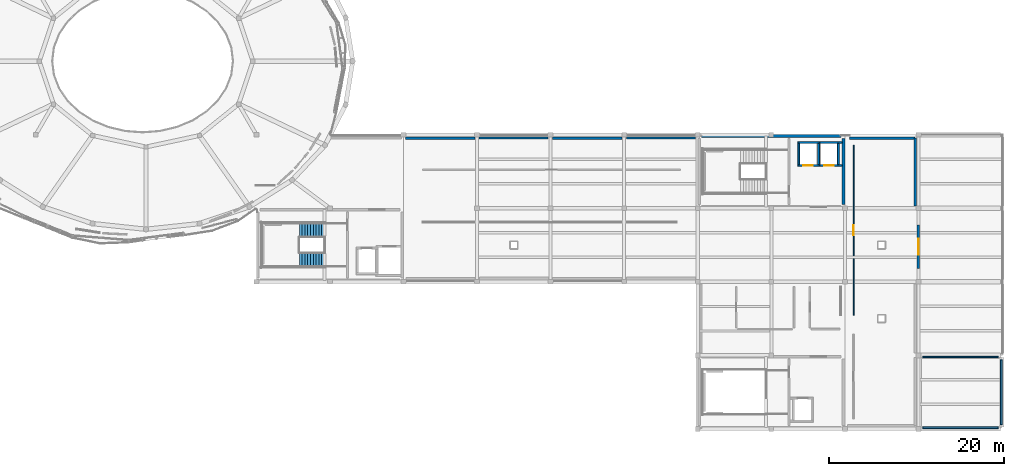
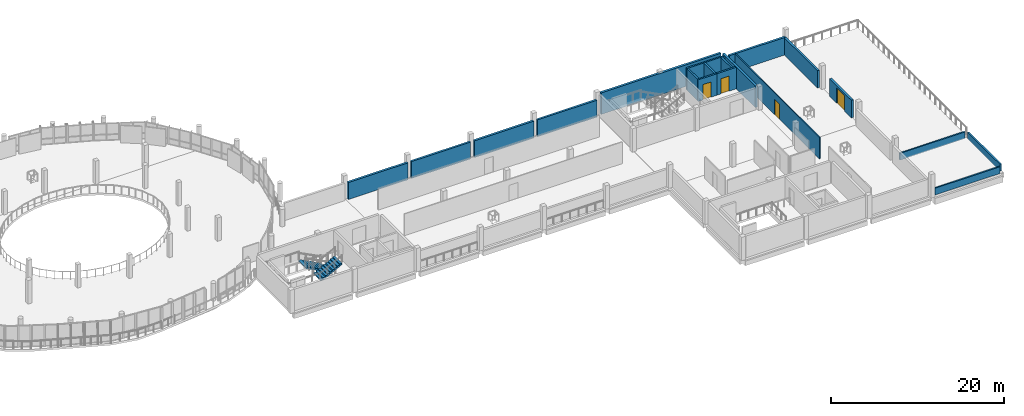
# One storey, part 33 of 43: 20 walls, 4 doors, 2 stair flights, 4 openings, 1 element without a shape of its own.
"""IFC4 building model written with IfcOpenShell, lengths in metres."""

from ifc_helpers import new_model, si_unit, derived_unit, direction, frame, frame_2d, origin, place, context, subcontext, project, spatial, polyline, rectangle, outline, extrude, material, layer, layer_set, type_object, element, fill, aggregate, save


model = new_model("IFC4")

# Units and contexts
model_context = context("Model", 3, precision=1e-05, world=origin(), true_north=direction((0.0, 1.0)))
body_context = subcontext(model_context, "Body", "Model", "MODEL_VIEW")
ifc_project = project(units=[si_unit("LENGTHUNIT", "METRE"), si_unit("AREAUNIT", "SQUARE_METRE"), si_unit("VOLUMEUNIT", "CUBIC_METRE"), si_unit("PLANEANGLEUNIT", "RADIAN"), si_unit("MASSUNIT", "GRAM", prefix="KILO"), derived_unit("THERMALTRANSMITTANCEUNIT", [(si_unit("POWERUNIT", "WATT"), 1), (si_unit("LENGTHUNIT", "METRE"), -2), (si_unit("THERMODYNAMICTEMPERATUREUNIT", "KELVIN"), -1)])], contexts=[model_context])

# Site, building, storey
site_placement = place(None, origin())
site = spatial("IfcSite", under=ifc_project, at=site_placement, CompositionType="ELEMENT")
building_placement = place(site_placement, origin())
building = spatial("IfcBuilding", under=site, at=building_placement, Name="Elbkamm Science Centre", CompositionType="ELEMENT")
storey_placement = place(building_placement, frame((0.0, 0.0, 18.300048828125)))
storey = spatial("IfcBuildingStorey", under=building, at=storey_placement, Name="L04", CompositionType="ELEMENT", Elevation=18.300048828125)

# Walls
ifc_material_1 = material(Name="Reinforced concrete C40/50", Category="concrete")
ifc_layer_1 = layer(ifc_material_1, 0.300048828125)
ifc_layer_set_1 = layer_set([ifc_layer_1], Name="Reinforced concrete C40/50")
wall_type_1 = type_object("IfcWallType", Name="WL-CORE-300", PredefinedType="SHEAR", material=ifc_layer_set_1)
wall_1_placement = place(storey_placement, frame((126.449951171875, 58.64990234375, 0.0), z_axis=(0.0, 0.0, 1.0), x_axis=(1.0, 0.0, 0.0)))
element("IfcWall", 1, at=wall_1_placement, inside=storey, type_object=wall_type_1, Name="L04 Core C3 Northeast Laboratories and Observatory Core Shear Wall N", PredefinedType="SHEAR", context=body_context, shape_type="SweptSolid", body=[
    extrude(rectangle(XDim=15.929931640625, YDim=0.300048828125, at=frame_2d((7.96484375, 0.0))), origin(), (0.0, 0.0, 1.0), 3.0400390625),
])
wall_2_placement = place(storey_placement, frame((142.64990234375, 50.820068359375, 0.0), z_axis=(0.0, 0.0, 1.0), x_axis=(0.0, 1.0, 0.0)))
element("IfcWall", 2, at=wall_2_placement, inside=storey, type_object=wall_type_1, Name="L04 Core C3 Northeast Laboratories and Observatory Core Shear Wall E", PredefinedType="SHEAR", context=body_context, shape_type="SweptSolid", body=[
    extrude(rectangle(XDim=7.559814453125, YDim=0.300048828125, at=frame_2d((3.77978515625, 0.0))), origin(), (0.0, 0.0, 1.0), 3.0400390625),
])

# Wall, opening, door
ifc_material_2 = material(Name="White precast concrete C40/50", Category="concrete")
ifc_layer_2 = layer(ifc_material_2, 0.27001953125)
ifc_layer_set_2 = layer_set([ifc_layer_2], Name="White precast concrete C40/50")
wall_type_2 = type_object("IfcWallType", Name="WL-EXT-270", PredefinedType="SOLIDWALL", material=ifc_layer_set_2)
wall_3_placement = place(storey_placement, frame((151.199951171875, 43.5, 0.0), z_axis=(0.0, 0.0, 1.0), x_axis=(0.0, 1.0, 0.0)))
wall_3 = element("IfcWall", 3, at=wall_3_placement, inside=storey, type_object=wall_type_2, Name="Science Library East Reading Terrace Portal Wall", PredefinedType="SOLIDWALL", context=body_context, shape_type="SweptSolid", body=[
    extrude(rectangle(XDim=5.0, YDim=0.27001953125, at=frame_2d((2.5, 0.0))), origin(), (0.0, 0.0, 1.0), 2.47998046875),
])
opening_1_placement = place(wall_3_placement, frame((1.60009765625, 0.0, 0.0)))
opening_1 = element("IfcOpeningElement", 4, at=opening_1_placement, cuts=wall_3, Name="Opening TD-01", PredefinedType="OPENING", context=body_context, shape_type="SweptSolid", body=[
    extrude(rectangle(XDim=1.800048828125, YDim=2.14990234375, at=frame_2d((0.89990234375, 1.074951171875))), frame((0.0, 0.14697265625, 0.0), z_axis=(0.0, -1.0, 0.0), x_axis=(1.0, 0.0, 0.0)), (0.0, 0.0, 1.0), 0.2939453125),
])
ifc_material_3 = material(Name="Powder-coated aluminium and laminated glass", Category="aluminium")
ifc_layer_3 = layer(ifc_material_3, 0.050048828125)
ifc_layer_set_3 = layer_set([ifc_layer_3], Name="Powder-coated aluminium and laminated glass")
door_type_1 = type_object("IfcDoorType", Name="DR-TER-1800x2150", OperationType="DOUBLE_DOOR_SINGLE_SWING", PredefinedType="DOOR", material=ifc_layer_set_3)
door_1_placement = place(opening_1_placement, frame((1.800048828125, 0.0, 0.0), z_axis=(0.0, 0.0, 1.0), x_axis=(-1.0, 0.0, 0.0)))
door_1 = element("IfcDoor", 5, at=door_1_placement, inside=storey, type_object=door_type_1, Name="Science Library East Reading Terrace Access Door", OperationType="DOUBLE_DOOR_SINGLE_SWING", OverallHeight=2.14990234375, OverallWidth=1.800048828125, PredefinedType="DOOR", context=body_context, shape_type="SweptSolid", body=[
    extrude(rectangle(XDim=1.800048828125, YDim=2.14990234375, at=frame_2d((0.89990234375, 1.074951171875))), frame((0.0, 0.02490234375, 0.0), z_axis=(0.0, -1.0, 0.0), x_axis=(1.0, 0.0, 0.0)), (0.0, 0.0, 1.0), 0.050048828125),
])
fill(opening_1, door_1)

# Walls
wall_4_placement = place(storey_placement, frame((101.0390625, 58.419921875, 0.0), z_axis=(0.0, 0.0, 1.0), x_axis=(1.0, 0.0, 0.0)))
element("IfcWall", 6, at=wall_4_placement, inside=storey, type_object=wall_type_2, Name="L04 Exterior Wall 0295", PredefinedType="SOLIDWALL", context=body_context, shape_type="SweptSolid", body=[
    extrude(rectangle(XDim=7.889892578125, YDim=0.27001953125, at=frame_2d((3.94482421875, 0.0))), origin(), (0.0, 0.0, 1.0), 2.389892578125),
])
wall_5_placement = place(storey_placement, frame((117.839111328125, 58.419921875, 0.0), z_axis=(0.0, 0.0, 1.0), x_axis=(1.0, 0.0, 0.0)))
element("IfcWall", 7, at=wall_5_placement, inside=storey, type_object=wall_type_2, Name="L04 Exterior Wall 0297", PredefinedType="SOLIDWALL", context=body_context, shape_type="SweptSolid", body=[
    extrude(rectangle(XDim=7.8837890625, YDim=0.27001953125, at=frame_2d((3.94189453125, 0.0))), origin(), (0.0, 0.0, 1.0), 2.389892578125),
])
wall_6_placement = place(storey_placement, frame((150.820068359375, 58.419921875, 0.0), z_axis=(0.0, 0.0, 1.0), x_axis=(0.0, -1.0, 0.0)))
element("IfcWall", 8, at=wall_6_placement, inside=storey, type_object=wall_type_2, Name="L04 Exterior Wall 0299", PredefinedType="SOLIDWALL", context=body_context, shape_type="SweptSolid", body=[
    extrude(rectangle(XDim=7.78076171875, YDim=0.27001953125, at=frame_2d((3.890380859375, 0.0))), origin(), (0.0, 0.0, 1.0), 2.429931640625),
])
ifc_layer_4 = layer(ifc_material_2, 0.2900390625)
ifc_layer_set_4 = layer_set([ifc_layer_4], Name="White precast concrete C40/50")
wall_type_3 = type_object("IfcWallType", Name="WL-EXT-290", PredefinedType="SOLIDWALL", material=ifc_layer_set_4)
wall_7_placement = place(storey_placement, frame((92.63916015625, 58.419921875, 0.0), z_axis=(0.0, 0.0, 1.0), x_axis=(1.0, 0.0, 0.0)))
element("IfcWall", 9, at=wall_7_placement, inside=storey, type_object=wall_type_3, Name="L04 Exterior Wall 0294", PredefinedType="SOLIDWALL", context=body_context, shape_type="SweptSolid", body=[
    extrude(rectangle(XDim=7.921630859375, YDim=0.2900390625, at=frame_2d((3.9609375, 0.0))), origin(), (0.0, 0.0, 1.0), 2.389892578125),
])
wall_8_placement = place(storey_placement, frame((109.439208984375, 58.419921875, 0.0), z_axis=(0.0, 0.0, 1.0), x_axis=(1.0, 0.0, 0.0)))
element("IfcWall", 10, at=wall_8_placement, inside=storey, type_object=wall_type_3, Name="L04 Exterior Wall 0296", PredefinedType="SOLIDWALL", context=body_context, shape_type="SweptSolid", body=[
    extrude(rectangle(XDim=7.8837890625, YDim=0.2900390625, at=frame_2d((3.94189453125, 0.0))), origin(), (0.0, 0.0, 1.0), 2.389892578125),
])
wall_9_placement = place(storey_placement, frame((143.35009765625, 58.419921875, 0.0), z_axis=(0.0, 0.0, 1.0), x_axis=(1.0, 0.0, 0.0)))
element("IfcWall", 11, at=wall_9_placement, inside=storey, type_object=wall_type_3, Name="L04 Exterior Wall 0298", PredefinedType="SOLIDWALL", context=body_context, shape_type="SweptSolid", body=[
    extrude(rectangle(XDim=7.469970703125, YDim=0.2900390625, at=frame_2d((3.73486328125, 0.0))), origin(), (0.0, 0.0, 1.0), 2.47998046875),
])
ifc_layer_5 = layer(ifc_material_2, 0.18994140625)
ifc_layer_set_5 = layer_set([ifc_layer_5], Name="White precast concrete C40/50")
wall_type_4 = type_object("IfcWallType", Name="WL-PAR-190", PredefinedType="PARAPET", material=ifc_layer_set_5)
for number, where, z_axis, x_axis, name in (
    (12, (151.68359375, 33.429931640625, 0.0), (0.0, 0.0, 1.0), (1.0, 0.0, 0.0), "L04 Roof Parapet Wall 061"),
    (13, (160.346435546875, 25.340087890625, 0.0), (0.0, 0.0, 1.0), (-1.0, 0.0, 0.0), "L04 Roof Parapet Wall 063"),
):
    element("IfcWall", number, at=place(storey_placement, frame(where, z_axis=z_axis, x_axis=x_axis)), inside=storey, type_object=wall_type_4, Name=name, PredefinedType="PARAPET", context=body_context, shape_type="SweptSolid", body=[
        extrude(rectangle(XDim=8.662841796875, YDim=0.18994140625, at=frame_2d((4.33154296875, 0.0))), origin(), (0.0, 0.0, 1.0), 0.949951171875),
    ])
ifc_layer_6 = layer(ifc_material_2, 0.2099609375)
ifc_layer_set_6 = layer_set([ifc_layer_6], Name="White precast concrete C40/50")
wall_type_5 = type_object("IfcWallType", Name="WL-PAR-210", PredefinedType="PARAPET", material=ifc_layer_set_6)
wall_10_placement = place(storey_placement, frame((160.659912109375, 33.116455078125, 0.0), z_axis=(0.0, 0.0, 1.0), x_axis=(0.0, -1.0, 0.0)))
element("IfcWall", 14, at=wall_10_placement, inside=storey, type_object=wall_type_5, Name="L04 Roof Parapet Wall 062", PredefinedType="PARAPET", context=body_context, shape_type="SweptSolid", body=[
    extrude(rectangle(XDim=7.462890625, YDim=0.2099609375, at=frame_2d((3.7314453125, 0.0))), origin(), (0.0, 0.0, 1.0), 0.949951171875),
])

# Wall, opening, door
ifc_material_4 = material(Name="Lightweight metal-stud gypsum partition", Category="gypsum")
ifc_layer_7 = layer(ifc_material_4, 0.125)
ifc_layer_set_7 = layer_set([ifc_layer_7], Name="Lightweight metal-stud gypsum partition")
wall_type_6 = type_object("IfcWallType", Name="WL-PART-125", PredefinedType="PARTITIONING", material=ifc_layer_set_7)
wall_11_placement = place(storey_placement, frame((143.800048828125, 38.179931640625, 0.0), z_axis=(0.0, 0.0, 1.0), x_axis=(0.0, 1.0, 0.0)))
wall_11 = element("IfcWall", 15, at=wall_11_placement, inside=storey, type_object=wall_type_6, Name="L04 Data Visualization Teaching Studio Partition 0254", PredefinedType="PARTITIONING", context=body_context, shape_type="SweptSolid", body=[
    extrude(rectangle(XDim=19.440185546875, YDim=0.125, at=frame_2d((9.72021484375, 0.0))), origin(), (0.0, 0.0, 1.0), 3.0400390625),
])
opening_2_placement = place(wall_11_placement, frame((9.14501953125, 0.0, 0.0)))
opening_2 = element("IfcOpeningElement", 16, at=opening_2_placement, cuts=wall_11, Name="Opening DI-05", PredefinedType="OPENING", context=body_context, shape_type="SweptSolid", body=[
    extrude(rectangle(XDim=1.14990234375, YDim=2.14990234375, at=frame_2d((0.574951171875, 1.074951171875))), frame((0.0, 0.074462890625, 0.0), z_axis=(0.0, -1.0, 0.0), x_axis=(1.0, 0.0, 0.0)), (0.0, 0.0, 1.0), 0.14892578125),
])
ifc_material_5 = material(Name="Acoustic oak veneer door")
ifc_layer_8 = layer(ifc_material_5, 0.050048828125)
ifc_layer_set_8 = layer_set([ifc_layer_8], Name="Acoustic oak veneer door")
door_type_2 = type_object("IfcDoorType", Name="DR-INT-1150x2150", OperationType="NOTDEFINED", PredefinedType="DOOR", material=ifc_layer_set_8)
door_2_placement = place(opening_2_placement, origin())
door_2 = element("IfcDoor", 17, at=door_2_placement, inside=storey, type_object=door_type_2, Name="L04 Data Visualization Teaching Studio Door", OperationType="SINGLE_SWING_RIGHT", OverallHeight=2.14990234375, OverallWidth=1.14990234375, PredefinedType="DOOR", context=body_context, shape_type="SweptSolid", body=[
    extrude(rectangle(XDim=1.14990234375, YDim=2.14990234375, at=frame_2d((0.574951171875, 1.074951171875))), frame((0.0, 0.02490234375, 0.0), z_axis=(0.0, -1.0, 0.0), x_axis=(1.0, 0.0, 0.0)), (0.0, 0.0, 1.0), 0.050048828125),
])
fill(opening_2, door_2)

# Walls
ifc_layer_9 = layer(ifc_material_1, 0.219970703125)
ifc_layer_set_9 = layer_set([ifc_layer_9], Name="Reinforced concrete C40/50")
wall_type_7 = type_object("IfcWallType", Name="WL-SHAFT-220", PredefinedType="SOLIDWALL", material=ifc_layer_set_9)
wall_12_placement = place(storey_placement, frame((137.5400390625, 55.39990234375, 0.0), z_axis=(0.0, 0.0, 1.0), x_axis=(0.0, 1.0, 0.0)))
element("IfcWall", 18, at=wall_12_placement, inside=storey, type_object=wall_type_7, Name="L04 Lift LP1 Shaft West Wall", PredefinedType="SOLIDWALL", context=body_context, shape_type="SweptSolid", body=[
    extrude(rectangle(XDim=2.400146484375, YDim=0.219970703125, at=frame_2d((1.2001953125, 0.0))), origin(), (0.0, 0.0, 1.0), 3.0400390625),
])
wall_13_placement = place(storey_placement, frame((137.429931640625, 57.909912109375, 0.0), z_axis=(0.0, 0.0, 1.0), x_axis=(1.0, 0.0, 0.0)))
element("IfcWall", 19, at=wall_13_placement, inside=storey, type_object=wall_type_7, Name="L04 Lift LP1 Shaft Back Wall", PredefinedType="SOLIDWALL", context=body_context, shape_type="SweptSolid", body=[
    extrude(rectangle(XDim=2.47998046875, YDim=0.219970703125, at=frame_2d((1.239990234375, 0.0))), origin(), (0.0, 0.0, 1.0), 3.0400390625),
])

# Wall, opening, door
wall_14_placement = place(storey_placement, frame((137.429931640625, 55.2900390625, 0.0), z_axis=(0.0, 0.0, 1.0), x_axis=(1.0, 0.0, 0.0)))
wall_14 = element("IfcWall", 20, at=wall_14_placement, inside=storey, type_object=wall_type_7, Name="L04 Lift LP1 Shaft Front Wall", PredefinedType="SOLIDWALL", context=body_context, shape_type="SweptSolid", body=[
    extrude(rectangle(XDim=2.47998046875, YDim=0.219970703125, at=frame_2d((1.239990234375, 0.0))), origin(), (0.0, 0.0, 1.0), 3.0400390625),
])
opening_3_placement = place(wall_14_placement, frame((0.6201171875, 0.0, 0.0)))
opening_3 = element("IfcOpeningElement", 21, at=opening_3_placement, cuts=wall_14, Name="Opening LD-01", PredefinedType="OPENING", context=body_context, shape_type="SweptSolid", body=[
    extrude(rectangle(XDim=1.10009765625, YDim=2.14990234375, at=frame_2d((0.550048828125, 1.074951171875))), frame((0.0, 0.1220703125, 0.0), z_axis=(0.0, -1.0, 0.0), x_axis=(1.0, 0.0, 0.0)), (0.0, 0.0, 1.0), 0.243896484375),
])
ifc_material_6 = material(Name="Stainless steel lift landing door", Category="steel")
ifc_layer_10 = layer(ifc_material_6, 0.050048828125)
ifc_layer_set_10 = layer_set([ifc_layer_10], Name="Stainless steel lift landing door")
door_type_3 = type_object("IfcDoorType", Name="DR-LIFT-1100x2150", OperationType="DOUBLE_DOOR_SLIDING", PredefinedType="DOOR", material=ifc_layer_set_10)
door_3_placement = place(opening_3_placement, origin())
door_3 = element("IfcDoor", 22, at=door_3_placement, inside=storey, type_object=door_type_3, Name="L04 Lift LP1 Sliding Landing Door", OperationType="DOUBLE_DOOR_SLIDING", OverallHeight=2.14990234375, OverallWidth=1.10009765625, PredefinedType="DOOR", context=body_context, shape_type="SweptSolid", body=[
    extrude(rectangle(XDim=1.10009765625, YDim=2.14990234375, at=frame_2d((0.550048828125, 1.074951171875))), frame((0.0, 0.02490234375, 0.0), z_axis=(0.0, -1.0, 0.0), x_axis=(1.0, 0.0, 0.0)), (0.0, 0.0, 1.0), 0.050048828125),
])
fill(opening_3, door_3)

# Walls
for number, where, z_axis, x_axis, name in (
    (23, (139.800048828125, 55.39990234375, 0.0), (0.0, 0.0, 1.0), (0.0, 1.0, 0.0), "L04 Lift LP2 Shaft Divider Wall"),
    (24, (142.06005859375, 55.39990234375, 0.0), (0.0, 0.0, 1.0), (0.0, 1.0, 0.0), "L04 Lift LP2 Shaft East Wall"),
):
    element("IfcWall", number, at=place(storey_placement, frame(where, z_axis=z_axis, x_axis=x_axis)), inside=storey, type_object=wall_type_7, Name=name, PredefinedType="SOLIDWALL", context=body_context, shape_type="SweptSolid", body=[
        extrude(rectangle(XDim=2.400146484375, YDim=0.219970703125, at=frame_2d((1.2001953125, 0.0))), origin(), (0.0, 0.0, 1.0), 3.0400390625),
    ])
wall_15_placement = place(storey_placement, frame((139.68994140625, 57.909912109375, 0.0), z_axis=(0.0, 0.0, 1.0), x_axis=(1.0, 0.0, 0.0)))
element("IfcWall", 25, at=wall_15_placement, inside=storey, type_object=wall_type_7, Name="L04 Lift LP2 Shaft Back Wall", PredefinedType="SOLIDWALL", context=body_context, shape_type="SweptSolid", body=[
    extrude(rectangle(XDim=2.81005859375, YDim=0.219970703125, at=frame_2d((1.405029296875, 0.0))), origin(), (0.0, 0.0, 1.0), 3.0400390625),
])

# Wall, opening, door
wall_16_placement = place(storey_placement, frame((139.68994140625, 55.2900390625, 0.0), z_axis=(0.0, 0.0, 1.0), x_axis=(1.0, 0.0, 0.0)))
wall_16 = element("IfcWall", 26, at=wall_16_placement, inside=storey, type_object=wall_type_7, Name="L04 Lift LP2 Shaft Front Wall", PredefinedType="SOLIDWALL", context=body_context, shape_type="SweptSolid", body=[
    extrude(rectangle(XDim=2.81005859375, YDim=0.219970703125, at=frame_2d((1.405029296875, 0.0))), origin(), (0.0, 0.0, 1.0), 3.0400390625),
])
opening_4_placement = place(wall_16_placement, frame((0.760009765625, 0.0, 0.0)))
opening_4 = element("IfcOpeningElement", 27, at=opening_4_placement, cuts=wall_16, Name="Opening LD-01", PredefinedType="OPENING", context=body_context, shape_type="SweptSolid", body=[
    extrude(rectangle(XDim=1.10009765625, YDim=2.14990234375, at=frame_2d((0.550048828125, 1.074951171875))), frame((0.0, 0.1220703125, 0.0), z_axis=(0.0, -1.0, 0.0), x_axis=(1.0, 0.0, 0.0)), (0.0, 0.0, 1.0), 0.243896484375),
])
door_4_placement = place(opening_4_placement, origin())
door_4 = element("IfcDoor", 28, at=door_4_placement, inside=storey, type_object=door_type_3, Name="L04 Lift LP2 Sliding Landing Door", OperationType="DOUBLE_DOOR_SLIDING", OverallHeight=2.14990234375, OverallWidth=1.10009765625, PredefinedType="DOOR", context=body_context, shape_type="SweptSolid", body=[
    extrude(rectangle(XDim=1.10009765625, YDim=2.14990234375, at=frame_2d((0.550048828125, 1.074951171875))), frame((0.0, 0.02490234375, 0.0), z_axis=(0.0, -1.0, 0.0), x_axis=(1.0, 0.0, 0.0)), (0.0, 0.0, 1.0), 0.050048828125),
])
fill(opening_4, door_4)

# Stair, stair flights
stair_type = type_object("IfcStairType", Name="ST-TWO-20R-165", PredefinedType="USERDEFINED", material=ifc_material_1)
stair_placement = place(storey_placement, origin())
stair = element("IfcStair", 29, at=stair_placement, inside=storey, type_object=stair_type, Name="L04 Core C2 Central Exhibition and Skybridge Core Escape Stair", ObjectType="TWO_RETURN_STAIR", PredefinedType="USERDEFINED")
stair_flight_type = type_object("IfcStairFlightType", Name="FLT-10R-165MM-165", PredefinedType="STRAIGHT", material=ifc_material_1)
stair_flight_1_placement = place(storey_placement, frame((83.3798828125, 47.89501953125, 0.0), z_axis=(0.0, 0.0, 1.0), x_axis=(-1.0, 0.0, 0.0)))
stair_flight_1 = element("IfcStairFlight", 30, at=stair_flight_1_placement, type_object=stair_flight_type, Name="ST-C2 flight 1", NumberOfRisers=10, NumberOfTreads=9, PredefinedType="STRAIGHT", RiserHeight=0.165, TreadLength=0.32, context=body_context, shape_type="SweptSolid", body=[
    extrude(outline(polyline([(0.0, 0.0), (0.0, 0.1650390625), (0.320068359375, 0.1650390625), (0.320068359375, 0.330078125), (0.639892578125, 0.330078125), (0.639892578125, 0.4951171875), (0.9599609375, 0.4951171875), (0.9599609375, 0.659912109375), (1.280029296875, 0.659912109375), (1.280029296875, 0.824951171875), (1.60009765625, 0.824951171875), (1.60009765625, 0.989990234375), (1.919921875, 0.989990234375), (1.919921875, 1.155029296875), (2.239990234375, 1.155029296875), (2.239990234375, 1.320068359375), (2.56005859375, 1.320068359375), (2.56005859375, 1.485107421875), (2.8798828125, 1.485107421875), (2.8798828125, 1.64990234375), (2.8798828125, 1.30517578125), (0.348876953125, 0.0), (0.0, 0.0)])), frame((0.0, 0.824951171875, 0.0), z_axis=(0.0, -1.0, 0.0), x_axis=(1.0, 0.0, 0.0)), (0.0, 0.0, 1.0), 1.64990234375),
])
stair_flight_2_placement = place(storey_placement, frame((80.5, 44.5048828125, 1.64990234375), z_axis=(0.0, 0.0, 1.0), x_axis=(1.0, 0.0, 0.0)))
stair_flight_2 = element("IfcStairFlight", 31, at=stair_flight_2_placement, type_object=stair_flight_type, Name="ST-C2 flight 2", NumberOfRisers=10, NumberOfTreads=9, PredefinedType="STRAIGHT", RiserHeight=0.165, TreadLength=0.32, context=body_context, shape_type="SweptSolid", body=[
    extrude(outline(polyline([(0.0, 0.0), (0.0, 0.1650390625), (0.320068359375, 0.1650390625), (0.320068359375, 0.330078125), (0.639892578125, 0.330078125), (0.639892578125, 0.4951171875), (0.9599609375, 0.4951171875), (0.9599609375, 0.659912109375), (1.280029296875, 0.659912109375), (1.280029296875, 0.824951171875), (1.60009765625, 0.824951171875), (1.60009765625, 0.989990234375), (1.919921875, 0.989990234375), (1.919921875, 1.155029296875), (2.239990234375, 1.155029296875), (2.239990234375, 1.320068359375), (2.56005859375, 1.320068359375), (2.56005859375, 1.485107421875), (2.8798828125, 1.485107421875), (2.8798828125, 1.64990234375), (2.8798828125, 1.30517578125), (0.348876953125, 0.0), (0.0, 0.0)])), frame((0.0, 0.824951171875, 0.0), z_axis=(0.0, -1.0, 0.0), x_axis=(1.0, 0.0, 0.0)), (0.0, 0.0, 1.0), 1.64990234375),
])
aggregate(stair, [stair_flight_1, stair_flight_2])

save(model, "model.ifc")
